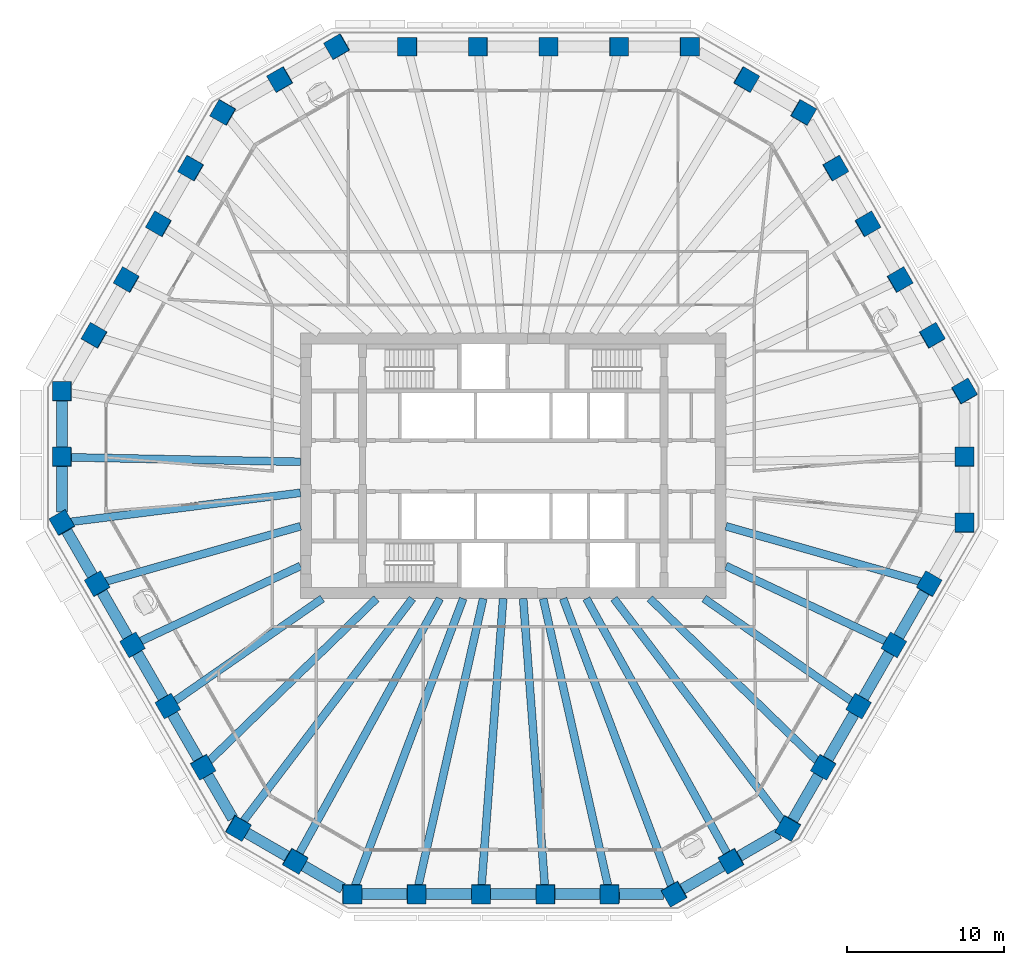
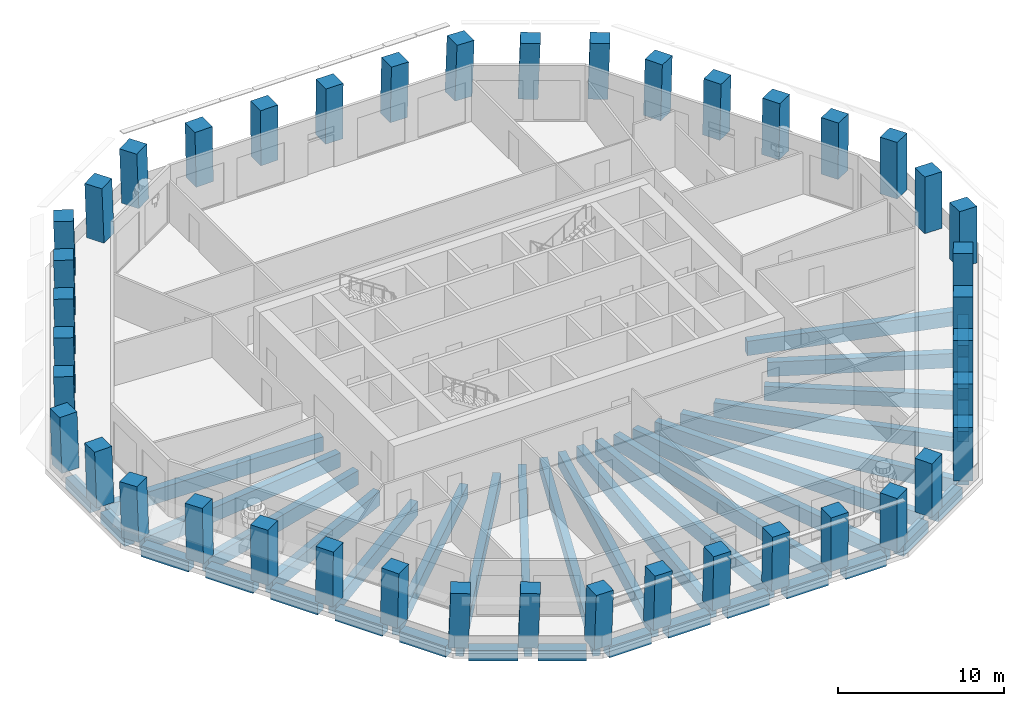
# One storey, part 1 of 12: 42 columns, 40 beams.
"""IFC4 building model written with IfcOpenShell, lengths in metres."""

from ifc_helpers import new_model, si_unit, direction, frame, origin, origin_2d, place, context, subcontext, project, spatial, rectangle, extrude, material, material_profile, profile_set, type_object, element, save


model = new_model("IFC4")

# Units and contexts
model_context = context("Model", 3, precision=1e-05, world=origin(), true_north=direction((0.0, 1.0)))
body_context = subcontext(model_context, "Body", "Model", "MODEL_VIEW")
ifc_project = project(units=[si_unit("LENGTHUNIT", "METRE"), si_unit("AREAUNIT", "SQUARE_METRE"), si_unit("VOLUMEUNIT", "CUBIC_METRE"), si_unit("PLANEANGLEUNIT", "RADIAN"), si_unit("MASSUNIT", "GRAM", prefix="KILO")], contexts=[model_context])

# Site, building, storey
site_placement = place(None, origin())
site = spatial("IfcSite", under=ifc_project, at=site_placement, CompositionType="ELEMENT")
building_placement = place(site_placement, origin())
building = spatial("IfcBuilding", under=site, at=building_placement, Name="Frailejon Research Tower", CompositionType="ELEMENT")
storey_placement = place(building_placement, frame((0.0, 0.0, 162.800048828125)))
storey = spatial("IfcBuildingStorey", under=building, at=storey_placement, Name="L35", CompositionType="ELEMENT", Elevation=162.800048828125)

# Columns
ifc_material_1 = material(Name="Concrete C60/75", Category="concrete")
ifc_material_profile_1 = material_profile(ifc_material_1, rectangle(XDim=1.199951171875, YDim=1.199951171875, at=origin_2d()), Name="Column 1200")
ifc_profile_set_1 = profile_set([ifc_material_profile_1], Name="Concrete C60/75")
column_type = type_object("IfcColumnType", Name="Column 1200", PredefinedType="COLUMN", material=ifc_profile_set_1)
for number, where, z_axis, x_axis, name in (
    (1, (28.732177734375, -3.634521484375, 0.0), (0.018132595726, 0.031445896907, 0.999340965106), (-0.001395592918, 0.999505115145, -0.031425739745), "Column C01"),
    (2, (28.732177734375, 0.552978515625, 0.0), (0.018132595726, 0.031445896907, 0.999340965106), (-0.001395592918, 0.999505115145, -0.031425739745), "Column C02"),
    (3, (28.732177734375, 4.74072265625, 0.0), (0.018132630042, 0.031385715123, 0.999342856388), (-0.500678917491, 0.865443910419, -0.018095842014), "Column C03"),
):
    element("IfcColumn", number, at=place(storey_placement, frame(where, z_axis=z_axis, x_axis=x_axis)), inside=storey, type_object=column_type, Name=name, PredefinedType="COLUMN", context=body_context, shape_type="SweptSolid", body=[
        extrude(rectangle(XDim=1.199951171875, YDim=1.199951171875, at=origin_2d()), origin(), (0.0, 0.0, 1.0), 4.052734375),
    ])
column_1_placement = place(storey_placement, frame((26.679931640625, 8.294921875, 0.0), z_axis=(0.021809609218, 0.025123223878, 0.999446429063), x_axis=(-0.499316957517, 0.86635106376, -0.010881647777)))
element("IfcColumn", 4, at=column_1_placement, inside=storey, type_object=column_type, Name="Column C04", PredefinedType="COLUMN", context=body_context, shape_type="SweptSolid", body=[
    extrude(rectangle(XDim=1.199951171875, YDim=1.199951171875, at=origin_2d()), origin(), (0.0, 0.0, 1.0), 4.05224609375),
])
for number, where, z_axis, x_axis, name in (
    (5, (24.6279296875, 11.849365234375, 0.0), (0.025365582388, 0.018858497119, 0.999500347332), (-0.501191337303, 0.865328971352, -0.0036075963), "Column C05"),
    (6, (22.57568359375, 15.40380859375, 0.0), (0.029040860623, 0.012532155622, 0.999499661576), (-0.499041572146, 0.866570424295, 0.003634419767), "Column C06"),
):
    element("IfcColumn", number, at=place(storey_placement, frame(where, z_axis=z_axis, x_axis=x_axis)), inside=storey, type_object=column_type, Name=name, PredefinedType="COLUMN", context=body_context, shape_type="SweptSolid", body=[
        extrude(rectangle(XDim=1.199951171875, YDim=1.199951171875, at=origin_2d()), origin(), (0.0, 0.0, 1.0), 4.052001953125),
    ])
column_2_placement = place(storey_placement, frame((20.523681640625, 18.9580078125, 0.0), z_axis=(0.032654187208, 0.006265748099, 0.999447069363), x_axis=(-0.499519823947, 0.866234008258, 0.010889831076)))
element("IfcColumn", 7, at=column_2_placement, inside=storey, type_object=column_type, Name="Column C07", PredefinedType="COLUMN", context=body_context, shape_type="SweptSolid", body=[
    extrude(rectangle(XDim=1.199951171875, YDim=1.199951171875, at=origin_2d()), origin(), (0.0, 0.0, 1.0), 4.05224609375),
])
for number, where, z_axis, x_axis, name in (
    (8, (18.4716796875, 22.512451171875, 0.0), (0.036265236264, 0.0, 0.999342199969), (-0.865313546461, 0.500246354177, 0.031401456084), "Column C08"),
    (9, (14.84521484375, 24.606201171875, 0.0), (0.036205074038, 0.0, 0.999344381389), (-0.865315435316, 0.500246354177, 0.031349362627), "Column C09"),
    (10, (11.218505859375, 26.699951171875, 0.0), (0.036265236264, 0.0, 0.999342199969), (-0.999342199969, 0.0, 0.036265236264), "Column C10"),
):
    element("IfcColumn", number, at=place(storey_placement, frame(where, z_axis=z_axis, x_axis=x_axis)), inside=storey, type_object=column_type, Name=name, PredefinedType="COLUMN", context=body_context, shape_type="SweptSolid", body=[
        extrude(rectangle(XDim=1.199951171875, YDim=1.199951171875, at=origin_2d()), origin(), (0.0, 0.0, 1.0), 4.052734375),
    ])
column_3_placement = place(storey_placement, frame((6.731201171875, 26.699951171875, 0.0), z_axis=(0.021756257337, 0.0, 0.999763304621), x_axis=(-0.999763304621, 0.0, 0.021756257337)))
element("IfcColumn", 11, at=column_3_placement, inside=storey, type_object=column_type, Name="Column C11", PredefinedType="COLUMN", context=body_context, shape_type="SweptSolid", body=[
    extrude(rectangle(XDim=1.199951171875, YDim=1.199951171875, at=origin_2d()), origin(), (0.0, 0.0, 1.0), 4.051025390625),
])
for number, where, z_axis, x_axis, name in (
    (12, (2.24365234375, 26.699951171875, 0.0), (0.007293795973, 0.0, 0.999973399916), (-0.999973399916, 0.0, 0.007293795973), "Column C12"),
    (13, (-2.24365234375, 26.699951171875, 0.0), (-0.007293795973, 0.0, 0.999973399916), (-0.999973399916, 0.0, -0.007293795973), "Column C13"),
):
    element("IfcColumn", number, at=place(storey_placement, frame(where, z_axis=z_axis, x_axis=x_axis)), inside=storey, type_object=column_type, Name=name, PredefinedType="COLUMN", context=body_context, shape_type="SweptSolid", body=[
        extrude(rectangle(XDim=1.199951171875, YDim=1.199951171875, at=origin_2d()), origin(), (0.0, 0.0, 1.0), 4.050048828125),
    ])
column_4_placement = place(storey_placement, frame((-6.731201171875, 26.699951171875, 0.0), z_axis=(-0.021756257337, 0.0, 0.999763304621), x_axis=(-0.999763304621, 0.0, -0.021756257337)))
element("IfcColumn", 14, at=column_4_placement, inside=storey, type_object=column_type, Name="Column C14", PredefinedType="COLUMN", context=body_context, shape_type="SweptSolid", body=[
    extrude(rectangle(XDim=1.199951171875, YDim=1.199951171875, at=origin_2d()), origin(), (0.0, 0.0, 1.0), 4.051025390625),
])
for number, where, z_axis, x_axis, name in (
    (15, (-11.218505859375, 26.699951171875, 0.0), (-0.036265236264, 0.0, 0.999342199969), (-0.865313546461, -0.500246354177, -0.031401456084), "Column C15"),
    (16, (-14.84521484375, 24.606201171875, 0.0), (-0.036205074038, 0.0, 0.999344381389), (-0.865315435316, -0.500246354177, -0.031349362627), "Column C16"),
    (17, (-18.4716796875, 22.512451171875, 0.0), (-0.036265236264, 0.0, 0.999342199969), (-0.499424867419, -0.866167613071, -0.018123682572), "Column C17"),
):
    element("IfcColumn", number, at=place(storey_placement, frame(where, z_axis=z_axis, x_axis=x_axis)), inside=storey, type_object=column_type, Name=name, PredefinedType="COLUMN", context=body_context, shape_type="SweptSolid", body=[
        extrude(rectangle(XDim=1.199951171875, YDim=1.199951171875, at=origin_2d()), origin(), (0.0, 0.0, 1.0), 4.052734375),
    ])
column_5_placement = place(storey_placement, frame((-20.523681640625, 18.9580078125, 0.0), z_axis=(-0.032654187208, 0.006265748099, 0.999447069363), x_axis=(-0.499519823947, -0.866234008258, -0.010889831076)))
element("IfcColumn", 18, at=column_5_placement, inside=storey, type_object=column_type, Name="Column C18", PredefinedType="COLUMN", context=body_context, shape_type="SweptSolid", body=[
    extrude(rectangle(XDim=1.199951171875, YDim=1.199951171875, at=origin_2d()), origin(), (0.0, 0.0, 1.0), 4.05224609375),
])
for number, where, z_axis, x_axis, name in (
    (19, (-22.57568359375, 15.40380859375, 0.0), (-0.029040860623, 0.012532155622, 0.999499661576), (-0.499041572146, -0.866570424295, -0.003634419767), "Column C19"),
    (20, (-24.6279296875, 11.849365234375, 0.0), (-0.025365582388, 0.018858497119, 0.999500347332), (-0.501191337303, -0.865328971352, 0.0036075963), "Column C20"),
):
    element("IfcColumn", number, at=place(storey_placement, frame(where, z_axis=z_axis, x_axis=x_axis)), inside=storey, type_object=column_type, Name=name, PredefinedType="COLUMN", context=body_context, shape_type="SweptSolid", body=[
        extrude(rectangle(XDim=1.199951171875, YDim=1.199951171875, at=origin_2d()), origin(), (0.0, 0.0, 1.0), 4.052001953125),
    ])
column_6_placement = place(storey_placement, frame((-26.679931640625, 8.294921875, 0.0), z_axis=(-0.021809609218, 0.025123223878, 0.999446429063), x_axis=(-0.499316957517, -0.86635106376, 0.010881647777)))
element("IfcColumn", 21, at=column_6_placement, inside=storey, type_object=column_type, Name="Column C21", PredefinedType="COLUMN", context=body_context, shape_type="SweptSolid", body=[
    extrude(rectangle(XDim=1.199951171875, YDim=1.199951171875, at=origin_2d()), origin(), (0.0, 0.0, 1.0), 4.05224609375),
])
for number, where, z_axis, x_axis, name in (
    (22, (-28.732177734375, 4.74072265625, 0.0), (-0.018132630042, 0.031385715123, 0.999342856388), (-0.000879091474, -0.999507299139, 0.031374928948), "Column C22"),
    (23, (-28.732177734375, 0.552978515625, 0.0), (-0.018132595726, 0.031445896907, 0.999340965106), (-0.001395592918, -0.999505115145, 0.031425739745), "Column C23"),
    (24, (-28.732177734375, -3.634521484375, 0.0), (-0.018132595726, 0.031445896907, 0.999340965106), (0.498955201563, -0.865867236636, 0.036299247284), "Column C24"),
):
    element("IfcColumn", number, at=place(storey_placement, frame(where, z_axis=z_axis, x_axis=x_axis)), inside=storey, type_object=column_type, Name=name, PredefinedType="COLUMN", context=body_context, shape_type="SweptSolid", body=[
        extrude(rectangle(XDim=1.199951171875, YDim=1.199951171875, at=origin_2d()), origin(), (0.0, 0.0, 1.0), 4.052734375),
    ])
column_7_placement = place(storey_placement, frame((-26.48828125, -7.520751953125, 0.0), z_axis=(-0.010908253887, 0.018863444567, 0.99976256204), x_axis=(0.500638377412, -0.865382225109, 0.021790354016)))
element("IfcColumn", 25, at=column_7_placement, inside=storey, type_object=column_type, Name="Column C25", PredefinedType="COLUMN", context=body_context, shape_type="SweptSolid", body=[
    extrude(rectangle(XDim=1.199951171875, YDim=1.199951171875, at=origin_2d()), origin(), (0.0, 0.0, 1.0), 4.051025390625),
])
for number, where, z_axis, x_axis, name in (
    (26, (-24.24462890625, -11.406982421875, 0.0), (-0.003677036938, 0.006329325876, 0.999973209158), (0.502147149997, -0.864751212075, 0.007319901948), "Column C26"),
    (27, (-22.0009765625, -15.293212890625, 0.0), (0.003616759812, -0.006269050341, 0.999973808685), (0.501883236828, -0.864905101718, -0.007237514304), "Column C27"),
):
    element("IfcColumn", number, at=place(storey_placement, frame(where, z_axis=z_axis, x_axis=x_axis)), inside=storey, type_object=column_type, Name=name, PredefinedType="COLUMN", context=body_context, shape_type="SweptSolid", body=[
        extrude(rectangle(XDim=1.199951171875, YDim=1.199951171875, at=origin_2d()), origin(), (0.0, 0.0, 1.0), 4.050048828125),
    ])
column_8_placement = place(storey_placement, frame((-19.75732421875, -19.17919921875, 0.0), z_axis=(0.010908253887, -0.018863444567, 0.99976256204), x_axis=(0.500638377412, -0.865382225109, -0.021790354016)))
element("IfcColumn", 28, at=column_8_placement, inside=storey, type_object=column_type, Name="Column C28", PredefinedType="COLUMN", context=body_context, shape_type="SweptSolid", body=[
    extrude(rectangle(XDim=1.199951171875, YDim=1.199951171875, at=origin_2d()), origin(), (0.0, 0.0, 1.0), 4.051025390625),
])
for number, where, z_axis, x_axis, name in (
    (29, (-17.513671875, -23.0654296875, 0.0), (0.018132595726, -0.031445896907, 0.999340965106), (0.865740985748, -0.499504693256, -0.031426215359), "Column C29"),
    (30, (-13.88720703125, -25.1591796875, 0.0), (0.018132595726, -0.031445896907, 0.999340965106), (0.865469370655, -0.499974541214, -0.031436071558), "Column C30"),
    (31, (-10.260498046875, -27.253173828125, 0.0), (0.018132630042, -0.031385715123, 0.999342856388), (0.999835440934, 0.001115627466, -0.018106529978), "Column C31"),
):
    element("IfcColumn", number, at=place(storey_placement, frame(where, z_axis=z_axis, x_axis=x_axis)), inside=storey, type_object=column_type, Name=name, PredefinedType="COLUMN", context=body_context, shape_type="SweptSolid", body=[
        extrude(rectangle(XDim=1.199951171875, YDim=1.199951171875, at=origin_2d()), origin(), (0.0, 0.0, 1.0), 4.052734375),
    ])
column_9_placement = place(storey_placement, frame((-6.15625, -27.253173828125, 0.0), z_axis=(0.010844578562, -0.031389030172, 0.999448409824), x_axis=(0.999940901456, -0.000426521309, -0.010863317853)))
element("IfcColumn", 32, at=column_9_placement, inside=storey, type_object=column_type, Name="Column C32", PredefinedType="COLUMN", context=body_context, shape_type="SweptSolid", body=[
    extrude(rectangle(XDim=1.199951171875, YDim=1.199951171875, at=origin_2d()), origin(), (0.0, 0.0, 1.0), 4.05224609375),
])
for number, where, z_axis, x_axis, name in (
    (33, (-2.052001953125, -27.253173828125, 0.0), (0.00361504848, -0.031390670968, 0.999500653927), (0.999993330164, -0.00040689317, -0.003629609449), "Column C33"),
    (34, (2.052001953125, -27.253173828125, 0.0), (-0.00361504848, -0.031390670968, 0.999500653927), (0.999993330164, 0.00040689317, 0.003629609449), "Column C34"),
):
    element("IfcColumn", number, at=place(storey_placement, frame(where, z_axis=z_axis, x_axis=x_axis)), inside=storey, type_object=column_type, Name=name, PredefinedType="COLUMN", context=body_context, shape_type="SweptSolid", body=[
        extrude(rectangle(XDim=1.199951171875, YDim=1.199951171875, at=origin_2d()), origin(), (0.0, 0.0, 1.0), 4.052001953125),
    ])
column_10_placement = place(storey_placement, frame((6.15625, -27.253173828125, 0.0), z_axis=(-0.010844578562, -0.031389030172, 0.999448409824), x_axis=(0.999940901456, 0.000426521309, 0.010863317853)))
element("IfcColumn", 35, at=column_10_placement, inside=storey, type_object=column_type, Name="Column C35", PredefinedType="COLUMN", context=body_context, shape_type="SweptSolid", body=[
    extrude(rectangle(XDim=1.199951171875, YDim=1.199951171875, at=origin_2d()), origin(), (0.0, 0.0, 1.0), 4.05224609375),
])
for number, where, z_axis, x_axis, name in (
    (36, (10.260498046875, -27.253173828125, 0.0), (-0.018132630042, -0.031385715123, 0.999342856388), (0.866156195426, 0.498787200508, 0.031381104725), "Column C36"),
    (37, (13.88720703125, -25.1591796875, 0.0), (-0.018132595726, -0.031445896907, 0.999340965106), (0.865469370655, 0.499974541214, 0.031436071558), "Column C37"),
    (38, (17.513671875, -23.0654296875, 0.0), (-0.018132595726, -0.031445896907, 0.999340965106), (0.499425428362, 0.865596098728, 0.036299247542), "Column C38"),
):
    element("IfcColumn", number, at=place(storey_placement, frame(where, z_axis=z_axis, x_axis=x_axis)), inside=storey, type_object=column_type, Name=name, PredefinedType="COLUMN", context=body_context, shape_type="SweptSolid", body=[
        extrude(rectangle(XDim=1.199951171875, YDim=1.199951171875, at=origin_2d()), origin(), (0.0, 0.0, 1.0), 4.052734375),
    ])
column_11_placement = place(storey_placement, frame((19.75732421875, -19.17919921875, 0.0), z_axis=(-0.010908253887, -0.018863444567, 0.99976256204), x_axis=(0.500638377412, 0.865382225109, 0.021790354016)))
element("IfcColumn", 39, at=column_11_placement, inside=storey, type_object=column_type, Name="Column C39", PredefinedType="COLUMN", context=body_context, shape_type="SweptSolid", body=[
    extrude(rectangle(XDim=1.199951171875, YDim=1.199951171875, at=origin_2d()), origin(), (0.0, 0.0, 1.0), 4.051025390625),
])
for number, where, z_axis, x_axis, name in (
    (40, (22.0009765625, -15.293212890625, 0.0), (-0.003616759812, -0.006269050341, 0.999973808685), (0.501883236828, 0.864905101718, 0.007237514304), "Column C40"),
    (41, (24.24462890625, -11.406982421875, 0.0), (0.003677036938, 0.006329325876, 0.999973209158), (0.502147149997, 0.864751212075, -0.007319901948), "Column C41"),
):
    element("IfcColumn", number, at=place(storey_placement, frame(where, z_axis=z_axis, x_axis=x_axis)), inside=storey, type_object=column_type, Name=name, PredefinedType="COLUMN", context=body_context, shape_type="SweptSolid", body=[
        extrude(rectangle(XDim=1.199951171875, YDim=1.199951171875, at=origin_2d()), origin(), (0.0, 0.0, 1.0), 4.050048828125),
    ])
column_12_placement = place(storey_placement, frame((26.48828125, -7.520751953125, 0.0), z_axis=(0.010908253887, 0.018863444567, 0.99976256204), x_axis=(0.500638377412, 0.865382225109, -0.021790354016)))
element("IfcColumn", 42, at=column_12_placement, inside=storey, type_object=column_type, Name="Column C42", PredefinedType="COLUMN", context=body_context, shape_type="SweptSolid", body=[
    extrude(rectangle(XDim=1.199951171875, YDim=1.199951171875, at=origin_2d()), origin(), (0.0, 0.0, 1.0), 4.051025390625),
])

# Beams
ifc_material_2 = material(Name="Concrete C60/75", Category="concrete")
ifc_material_profile_2 = material_profile(ifc_material_2, rectangle(XDim=0.5, YDim=1.050048828125, at=origin_2d()), Name="Girder 500x1050")
ifc_profile_set_2 = profile_set([ifc_material_profile_2], Name="Concrete C60/75")
beam_type_1 = type_object("IfcBeamType", Name="Girder 500x1050", PredefinedType="BEAM", material=ifc_profile_set_2)
beam_1_placement = place(storey_placement, frame((-28.281982421875, 0.54443359375, -0.824951171875), z_axis=(0.999814637408, -0.019253332814, 0.0), x_axis=(0.019253332814, 0.999814637408, 0.0)))
element("IfcBeam", 43, at=beam_1_placement, inside=storey, type_object=beam_type_1, Name="Girder 500x1050", PredefinedType="BEAM", context=body_context, shape_type="SweptSolid", body=[
    extrude(rectangle(XDim=0.5, YDim=1.050048828125, at=origin_2d()), origin(), (0.0, 0.0, 1.0), 14.734619140625),
])
beam_2_placement = place(storey_placement, frame((-28.235107421875, -3.57177734375, -0.824951171875), z_axis=(0.992093587798, 0.125500251198, 0.0), x_axis=(-0.125500251198, 0.992093587798, 0.0)))
element("IfcBeam", 44, at=beam_2_placement, inside=storey, type_object=beam_type_1, Name="Girder 500x1050", PredefinedType="BEAM", context=body_context, shape_type="SweptSolid", body=[
    extrude(rectangle(XDim=0.5, YDim=1.050048828125, at=origin_2d()), origin(), (0.0, 0.0, 1.0), 14.802001953125),
])
beam_3_placement = place(storey_placement, frame((-26.03759765625, -7.392578125, -0.824951171875), z_axis=(0.961979672221, 0.273121054175, 0.0), x_axis=(-0.273121054175, 0.961979672221, 0.0)))
element("IfcBeam", 45, at=beam_3_placement, inside=storey, type_object=beam_type_1, Name="Girder 500x1050", PredefinedType="BEAM", context=body_context, shape_type="SweptSolid", body=[
    extrude(rectangle(XDim=0.5, YDim=1.050048828125, at=origin_2d()), origin(), (0.0, 0.0, 1.0), 12.981201171875),
])
beam_4_placement = place(storey_placement, frame((-23.835693359375, -11.21435546875, -0.824951171875), z_axis=(0.904850824745, 0.42572876924, 0.0), x_axis=(-0.42572876924, 0.904850824745, 0.0)))
element("IfcBeam", 46, at=beam_4_placement, inside=storey, type_object=beam_type_1, Name="Girder 500x1050", PredefinedType="BEAM", context=body_context, shape_type="SweptSolid", body=[
    extrude(rectangle(XDim=0.5, YDim=1.050048828125, at=origin_2d()), origin(), (0.0, 0.0, 1.0), 11.3671875),
])
beam_5_placement = place(storey_placement, frame((-21.6298828125, -15.034912109375, -0.824951171875), z_axis=(0.821117349982, 0.570759404266, 0.0), x_axis=(-0.570759404266, 0.821117349982, 0.0)))
element("IfcBeam", 47, at=beam_5_placement, inside=storey, type_object=beam_type_1, Name="Girder 500x1050", PredefinedType="BEAM", context=body_context, shape_type="SweptSolid", body=[
    extrude(rectangle(XDim=0.5, YDim=1.050048828125, at=origin_2d()), origin(), (0.0, 0.0, 1.0), 11.537109375),
])
beam_6_placement = place(storey_placement, frame((-19.4208984375, -18.852783203125, -0.824951171875), z_axis=(0.717523501128, 0.696534295874, 0.0), x_axis=(-0.696534295874, 0.717523501128, 0.0)))
element("IfcBeam", 48, at=beam_6_placement, inside=storey, type_object=beam_type_1, Name="Girder 500x1050", PredefinedType="BEAM", context=body_context, shape_type="SweptSolid", body=[
    extrude(rectangle(XDim=0.5, YDim=1.050048828125, at=origin_2d()), origin(), (0.0, 0.0, 1.0), 14.93505859375),
])
beam_7_placement = place(storey_placement, frame((-17.238525390625, -22.703369140625, -0.824951171875), z_axis=(0.604725905747, 0.796433662598, 0.0), x_axis=(-0.796433662598, 0.604725905747, 0.0)))
element("IfcBeam", 49, at=beam_7_placement, inside=storey, type_object=beam_type_1, Name="Girder 500x1050", PredefinedType="BEAM", context=body_context, shape_type="SweptSolid", body=[
    extrude(rectangle(XDim=0.5, YDim=1.050048828125, at=origin_2d()), origin(), (0.0, 0.0, 1.0), 17.896484375),
])
beam_8_placement = place(storey_placement, frame((-13.669677734375, -24.76513671875, -0.824951171875), z_axis=(0.483247380825, 0.875483848467, 0.0), x_axis=(-0.875483848467, 0.483247380825, 0.0)))
element("IfcBeam", 50, at=beam_8_placement, inside=storey, type_object=beam_type_1, Name="Girder 500x1050", PredefinedType="BEAM", context=body_context, shape_type="SweptSolid", body=[
    extrude(rectangle(XDim=0.5, YDim=1.050048828125, at=origin_2d()), origin(), (0.0, 0.0, 1.0), 18.6357421875),
])
beam_9_placement = place(storey_placement, frame((-10.08740234375, -26.79345703125, -0.824951171875), z_axis=(0.35233938495, 0.935872297813, 0.0), x_axis=(-0.935872297813, 0.35233938495, 0.0)))
element("IfcBeam", 51, at=beam_9_placement, inside=storey, type_object=beam_type_1, Name="Girder 500x1050", PredefinedType="BEAM", context=body_context, shape_type="SweptSolid", body=[
    extrude(rectangle(XDim=0.5, YDim=1.050048828125, at=origin_2d()), origin(), (0.0, 0.0, 1.0), 19.600341796875),
])
beam_10_placement = place(storey_placement, frame((-6.0537109375, -26.79931640625, -0.824951171875), z_axis=(0.220342530025, 0.975422559439, 0.0), x_axis=(-0.975422559439, 0.220342530025, 0.0)))
element("IfcBeam", 52, at=beam_10_placement, inside=storey, type_object=beam_type_1, Name="Girder 500x1050", PredefinedType="BEAM", context=body_context, shape_type="SweptSolid", body=[
    extrude(rectangle(XDim=0.5, YDim=1.050048828125, at=origin_2d()), origin(), (0.0, 0.0, 1.0), 18.811767578125),
])
for number, where, z_axis, x_axis, name in (
    (53, (-2.018310546875, -26.802734375, -0.824951171875), (0.075093665005, 0.997176484618, 0.0), (-0.997176484618, 0.075093665005, 0.0), "Girder 500x1050"),
    (54, (2.018310546875, -26.802734375, -0.824951171875), (-0.075093665005, 0.997176484618, 0.0), (-0.997176484618, -0.075093665005, 0.0), "Girder 500x1050"),
):
    element("IfcBeam", number, at=place(storey_placement, frame(where, z_axis=z_axis, x_axis=x_axis)), inside=storey, type_object=beam_type_1, Name=name, PredefinedType="BEAM", context=body_context, shape_type="SweptSolid", body=[
        extrude(rectangle(XDim=0.5, YDim=1.050048828125, at=origin_2d()), origin(), (0.0, 0.0, 1.0), 18.40478515625),
    ])
beam_11_placement = place(storey_placement, frame((6.0537109375, -26.79931640625, -0.824951171875), z_axis=(-0.220342530025, 0.975422559439, 0.0), x_axis=(-0.975422559439, -0.220342530025, 0.0)))
element("IfcBeam", 55, at=beam_11_placement, inside=storey, type_object=beam_type_1, Name="Girder 500x1050", PredefinedType="BEAM", context=body_context, shape_type="SweptSolid", body=[
    extrude(rectangle(XDim=0.5, YDim=1.050048828125, at=origin_2d()), origin(), (0.0, 0.0, 1.0), 18.811767578125),
])
beam_12_placement = place(storey_placement, frame((10.09912109375, -26.824462890625, -0.824951171875), z_axis=(-0.352341418804, 0.9358715321, 0.0), x_axis=(-0.9358715321, -0.352341418804, 0.0)))
element("IfcBeam", 56, at=beam_12_placement, inside=storey, type_object=beam_type_1, Name="Girder 500x1050", PredefinedType="BEAM", context=body_context, shape_type="SweptSolid", body=[
    extrude(rectangle(XDim=0.5, YDim=1.050048828125, at=origin_2d()), origin(), (0.0, 0.0, 1.0), 19.633544921875),
])
beam_13_placement = place(storey_placement, frame((13.669677734375, -24.76513671875, -0.824951171875), z_axis=(-0.483247380825, 0.875483848467, 0.0), x_axis=(-0.875483848467, -0.483247380825, 0.0)))
element("IfcBeam", 57, at=beam_13_placement, inside=storey, type_object=beam_type_1, Name="Girder 500x1050", PredefinedType="BEAM", context=body_context, shape_type="SweptSolid", body=[
    extrude(rectangle(XDim=0.5, YDim=1.050048828125, at=origin_2d()), origin(), (0.0, 0.0, 1.0), 18.6357421875),
])
beam_14_placement = place(storey_placement, frame((17.210693359375, -22.66650390625, -0.824951171875), z_axis=(-0.604731571926, 0.79642936028, 0.0), x_axis=(-0.79642936028, -0.604731571926, 0.0)))
element("IfcBeam", 58, at=beam_14_placement, inside=storey, type_object=beam_type_1, Name="Girder 500x1050", PredefinedType="BEAM", context=body_context, shape_type="SweptSolid", body=[
    extrude(rectangle(XDim=0.5, YDim=1.050048828125, at=origin_2d()), origin(), (0.0, 0.0, 1.0), 17.850341796875),
])
beam_15_placement = place(storey_placement, frame((19.4208984375, -18.852783203125, -0.824951171875), z_axis=(-0.717523501128, 0.696534295874, 0.0), x_axis=(-0.696534295874, -0.717523501128, 0.0)))
element("IfcBeam", 59, at=beam_15_placement, inside=storey, type_object=beam_type_1, Name="Girder 500x1050", PredefinedType="BEAM", context=body_context, shape_type="SweptSolid", body=[
    extrude(rectangle(XDim=0.5, YDim=1.050048828125, at=origin_2d()), origin(), (0.0, 0.0, 1.0), 14.93505859375),
])
beam_16_placement = place(storey_placement, frame((21.6298828125, -15.034912109375, -0.824951171875), z_axis=(-0.821117349982, 0.570759404266, 0.0), x_axis=(-0.570759404266, -0.821117349982, 0.0)))
element("IfcBeam", 60, at=beam_16_placement, inside=storey, type_object=beam_type_1, Name="Girder 500x1050", PredefinedType="BEAM", context=body_context, shape_type="SweptSolid", body=[
    extrude(rectangle(XDim=0.5, YDim=1.050048828125, at=origin_2d()), origin(), (0.0, 0.0, 1.0), 11.537109375),
])
beam_17_placement = place(storey_placement, frame((23.835693359375, -11.21435546875, -0.824951171875), z_axis=(-0.904850824745, 0.42572876924, 0.0), x_axis=(-0.42572876924, -0.904850824745, 0.0)))
element("IfcBeam", 61, at=beam_17_placement, inside=storey, type_object=beam_type_1, Name="Girder 500x1050", PredefinedType="BEAM", context=body_context, shape_type="SweptSolid", body=[
    extrude(rectangle(XDim=0.5, YDim=1.050048828125, at=origin_2d()), origin(), (0.0, 0.0, 1.0), 11.3671875),
])
beam_18_placement = place(storey_placement, frame((26.03759765625, -7.392578125, -0.824951171875), z_axis=(-0.961979672221, 0.273121054175, 0.0), x_axis=(-0.273121054175, -0.961979672221, 0.0)))
element("IfcBeam", 62, at=beam_18_placement, inside=storey, type_object=beam_type_1, Name="Girder 500x1050", PredefinedType="BEAM", context=body_context, shape_type="SweptSolid", body=[
    extrude(rectangle(XDim=0.5, YDim=1.050048828125, at=origin_2d()), origin(), (0.0, 0.0, 1.0), 12.981201171875),
])
ifc_material_3 = material(Name="Concrete C60/75", Category="concrete")
ifc_material_profile_3 = material_profile(ifc_material_3, rectangle(XDim=0.699951171875, YDim=0.800048828125, at=origin_2d()), Name="Spandrel 700x800")
ifc_profile_set_3 = profile_set([ifc_material_profile_3], Name="Concrete C60/75")
beam_type_2 = type_object("IfcBeamType", Name="Spandrel 700x800", PredefinedType="BEAM", material=ifc_profile_set_3)
beam_19_placement = place(storey_placement, frame((-28.732177734375, 4.140625, -0.75), z_axis=(0.0, -1.0, 0.0), x_axis=(1.0, 0.0, 0.0)))
element("IfcBeam", 63, at=beam_19_placement, inside=storey, type_object=beam_type_2, Name="Spandrel 700x800", PredefinedType="BEAM", context=body_context, shape_type="SweptSolid", body=[
    extrude(rectangle(XDim=0.699951171875, YDim=0.800048828125, at=origin_2d()), origin(), (0.0, 0.0, 1.0), 2.987548828125),
])
beam_20_placement = place(storey_placement, frame((-28.732177734375, -0.046875, -0.75), z_axis=(0.0, -1.0, 0.0), x_axis=(1.0, 0.0, 0.0)))
element("IfcBeam", 64, at=beam_20_placement, inside=storey, type_object=beam_type_2, Name="Spandrel 700x800", PredefinedType="BEAM", context=body_context, shape_type="SweptSolid", body=[
    extrude(rectangle(XDim=0.699951171875, YDim=0.800048828125, at=origin_2d()), origin(), (0.0, 0.0, 1.0), 2.894775390625),
])
beam_21_placement = place(storey_placement, frame((-28.43212890625, -4.154052734375, -0.75), z_axis=(0.499996722915, -0.866027295802, 0.0), x_axis=(0.866027295802, 0.499996722915, 0.0)))
element("IfcBeam", 65, at=beam_21_placement, inside=storey, type_object=beam_type_2, Name="Spandrel 700x800", PredefinedType="BEAM", context=body_context, shape_type="SweptSolid", body=[
    extrude(rectangle(XDim=0.699951171875, YDim=0.800048828125, at=origin_2d()), origin(), (0.0, 0.0, 1.0), 3.28759765625),
])
for number, where, z_axis, x_axis, name in (
    (66, (-26.1884765625, -8.040283203125, -0.75), (0.500028880288, -0.866008729101, 0.0), (0.866008729101, 0.500028880288, 0.0), "Spandrel 700x800"),
    (67, (-23.944580078125, -11.926513671875, -0.75), (0.499973180286, -0.8660408876, 0.0), (0.8660408876, 0.499973180286, 0.0), "Spandrel 700x800"),
    (68, (-21.700927734375, -15.812744140625, -0.75), (0.499973180286, -0.8660408876, 0.0), (0.8660408876, 0.499973180286, 0.0), "Spandrel 700x800"),
):
    element("IfcBeam", number, at=place(storey_placement, frame(where, z_axis=z_axis, x_axis=x_axis)), inside=storey, type_object=beam_type_2, Name=name, PredefinedType="BEAM", context=body_context, shape_type="SweptSolid", body=[
        extrude(rectangle(XDim=0.699951171875, YDim=0.800048828125, at=origin_2d()), origin(), (0.0, 0.0, 1.0), 3.287353515625),
    ])
beam_22_placement = place(storey_placement, frame((-19.457275390625, -19.698974609375, -0.75), z_axis=(0.499969434617, -0.866043049997, 0.0), x_axis=(0.866043049997, 0.499969434617, 0.0)))
element("IfcBeam", 69, at=beam_22_placement, inside=storey, type_object=beam_type_2, Name="Spandrel 700x800", PredefinedType="BEAM", context=body_context, shape_type="SweptSolid", body=[
    extrude(rectangle(XDim=0.699951171875, YDim=0.800048828125, at=origin_2d()), origin(), (0.0, 0.0, 1.0), 3.194580078125),
])
beam_23_placement = place(storey_placement, frame((-16.993896484375, -23.365478515625, -0.75), z_axis=(0.865996414055, -0.500050208323, 0.0), x_axis=(0.500050208323, 0.865996414055, 0.0)))
element("IfcBeam", 70, at=beam_23_placement, inside=storey, type_object=beam_type_2, Name="Spandrel 700x800", PredefinedType="BEAM", context=body_context, shape_type="SweptSolid", body=[
    extrude(rectangle(XDim=0.699951171875, YDim=0.800048828125, at=origin_2d()), origin(), (0.0, 0.0, 1.0), 2.987548828125),
])
beam_24_placement = place(storey_placement, frame((-13.367431640625, -25.459228515625, -0.75), z_axis=(0.865997375625, -0.500048543054, 0.0), x_axis=(0.500048543054, 0.865997375625, 0.0)))
element("IfcBeam", 71, at=beam_24_placement, inside=storey, type_object=beam_type_2, Name="Spandrel 700x800", PredefinedType="BEAM", context=body_context, shape_type="SweptSolid", body=[
    extrude(rectangle(XDim=0.699951171875, YDim=0.800048828125, at=origin_2d()), origin(), (0.0, 0.0, 1.0), 2.894775390625),
])
beam_25_placement = place(storey_placement, frame((-9.660400390625, -27.253173828125, -0.75), z_axis=(1.0, 0.0, 0.0), x_axis=(0.0, 1.0, 0.0)))
element("IfcBeam", 72, at=beam_25_placement, inside=storey, type_object=beam_type_2, Name="Spandrel 700x800", PredefinedType="BEAM", context=body_context, shape_type="SweptSolid", body=[
    extrude(rectangle(XDim=0.699951171875, YDim=0.800048828125, at=origin_2d()), origin(), (0.0, 0.0, 1.0), 2.904052734375),
])
for number, where, z_axis, x_axis, name in (
    (73, (-5.556396484375, -27.253173828125, -0.75), (1.0, 0.0, 0.0), (0.0, 1.0, 0.0), "Spandrel 700x800"),
    (74, (-1.4521484375, -27.253173828125, -0.75), (1.0, 0.0, 0.0), (0.0, 1.0, 0.0), "Spandrel 700x800"),
    (75, (2.652099609375, -27.253173828125, -0.75), (1.0, 0.0, 0.0), (0.0, 1.0, 0.0), "Spandrel 700x800"),
):
    element("IfcBeam", number, at=place(storey_placement, frame(where, z_axis=z_axis, x_axis=x_axis)), inside=storey, type_object=beam_type_2, Name=name, PredefinedType="BEAM", context=body_context, shape_type="SweptSolid", body=[
        extrude(rectangle(XDim=0.699951171875, YDim=0.800048828125, at=origin_2d()), origin(), (0.0, 0.0, 1.0), 2.904296875),
    ])
beam_26_placement = place(storey_placement, frame((6.75634765625, -27.253173828125, -0.75), z_axis=(1.0, 0.0, 0.0), x_axis=(0.0, 1.0, 0.0)))
element("IfcBeam", 76, at=beam_26_placement, inside=storey, type_object=beam_type_2, Name="Spandrel 700x800", PredefinedType="BEAM", context=body_context, shape_type="SweptSolid", body=[
    extrude(rectangle(XDim=0.699951171875, YDim=0.800048828125, at=origin_2d()), origin(), (0.0, 0.0, 1.0), 2.811279296875),
])
beam_27_placement = place(storey_placement, frame((10.780029296875, -26.953125, -0.75), z_axis=(0.866016846215, 0.500014821852, 0.0), x_axis=(-0.500014821852, 0.866016846215, 0.0)))
element("IfcBeam", 77, at=beam_27_placement, inside=storey, type_object=beam_type_2, Name="Spandrel 700x800", PredefinedType="BEAM", context=body_context, shape_type="SweptSolid", body=[
    extrude(rectangle(XDim=0.699951171875, YDim=0.800048828125, at=origin_2d()), origin(), (0.0, 0.0, 1.0), 2.98779296875),
])
beam_28_placement = place(storey_placement, frame((14.40673828125, -24.859375, -0.75), z_axis=(0.865997375625, 0.500048543054, 0.0), x_axis=(-0.500048543054, 0.865997375625, 0.0)))
element("IfcBeam", 78, at=beam_28_placement, inside=storey, type_object=beam_type_2, Name="Spandrel 700x800", PredefinedType="BEAM", context=body_context, shape_type="SweptSolid", body=[
    extrude(rectangle(XDim=0.699951171875, YDim=0.800048828125, at=origin_2d()), origin(), (0.0, 0.0, 1.0), 2.894775390625),
])
for number, where, z_axis, x_axis, name in (
    (79, (17.813720703125, -22.5458984375, -0.75), (0.499973180286, 0.8660408876, 0.0), (-0.8660408876, 0.499973180286, 0.0), "Spandrel 700x800"),
    (80, (20.057373046875, -18.65966796875, -0.75), (0.499973180286, 0.8660408876, 0.0), (-0.8660408876, 0.499973180286, 0.0), "Spandrel 700x800"),
    (81, (22.301025390625, -14.7734375, -0.75), (0.499973180286, 0.8660408876, 0.0), (-0.8660408876, 0.499973180286, 0.0), "Spandrel 700x800"),
    (82, (24.544677734375, -10.88720703125, -0.75), (0.500028880288, 0.866008729101, 0.0), (-0.866008729101, 0.500028880288, 0.0), "Spandrel 700x800"),
):
    element("IfcBeam", number, at=place(storey_placement, frame(where, z_axis=z_axis, x_axis=x_axis)), inside=storey, type_object=beam_type_2, Name=name, PredefinedType="BEAM", context=body_context, shape_type="SweptSolid", body=[
        extrude(rectangle(XDim=0.699951171875, YDim=0.800048828125, at=origin_2d()), origin(), (0.0, 0.0, 1.0), 3.287353515625),
    ])

save(model, "model.ifc")
